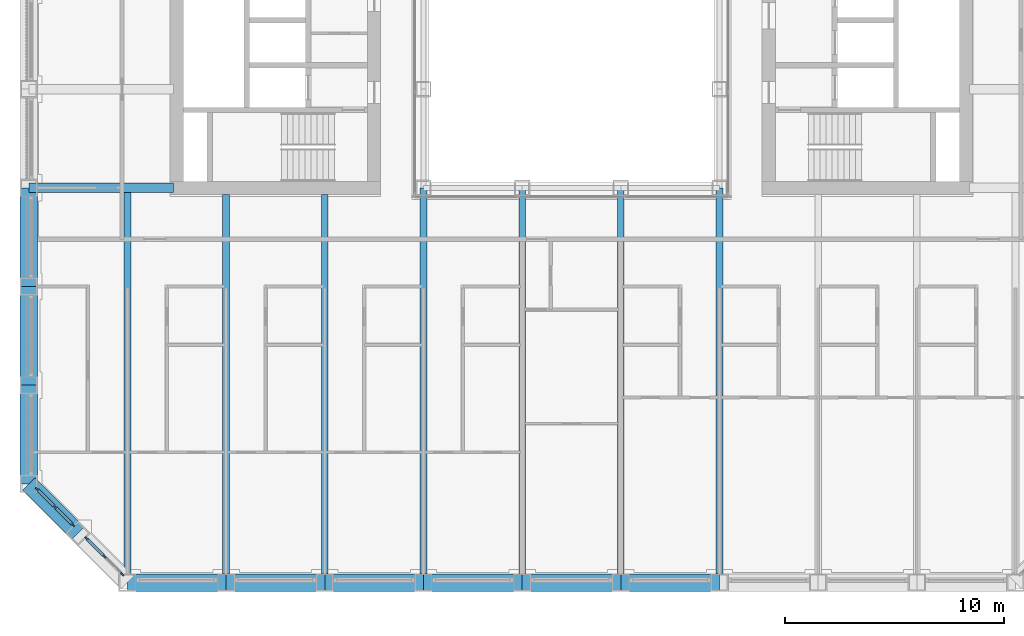
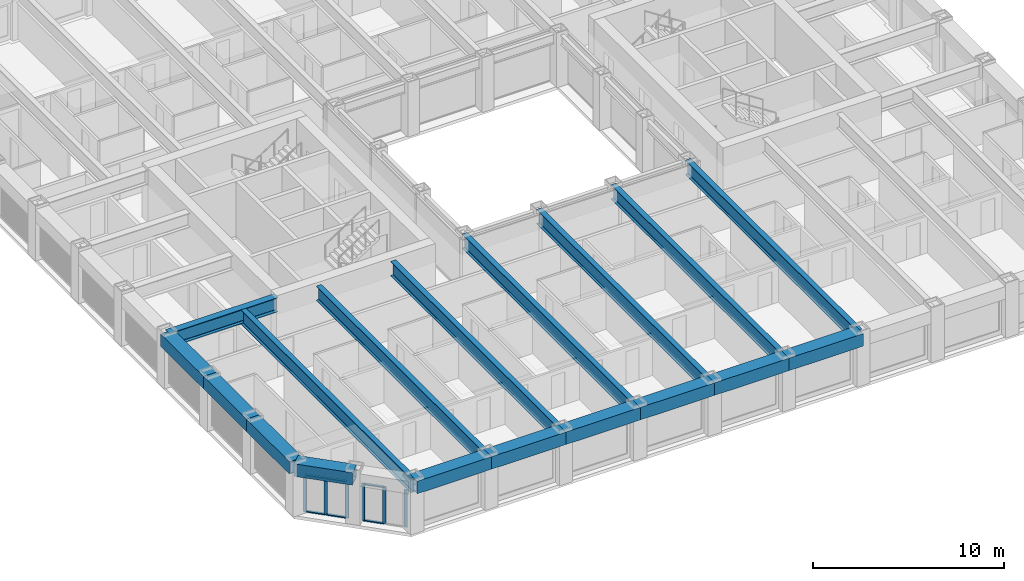
# One storey, part 2 of 21: 18 beams, 12 members, 2 elements without a shape of their own.
"""IFC4 building model written with IfcOpenShell, lengths in metres."""

from ifc_helpers import new_model, si_unit, direction, frame, origin, origin_2d, place, context, subcontext, project, spatial, rectangle, hollow_rectangle, i_section, extrude, material, material_profile, profile_set, type_object, element, aggregate, save


model = new_model("IFC4")

# Units and contexts
model_context = context("Model", 3, precision=1e-05, world=origin(), true_north=direction((0.0, 1.0)))
body_context = subcontext(model_context, "Body", "Model", "MODEL_VIEW")
ifc_project = project(units=[si_unit("LENGTHUNIT", "METRE"), si_unit("AREAUNIT", "SQUARE_METRE"), si_unit("VOLUMEUNIT", "CUBIC_METRE"), si_unit("PLANEANGLEUNIT", "RADIAN"), si_unit("MASSUNIT", "GRAM", prefix="KILO")], contexts=[model_context])

# Site, building, storey
site_placement = place(None, origin())
site = spatial("IfcSite", under=ifc_project, at=site_placement, CompositionType="ELEMENT")
building_placement = place(site_placement, origin())
building = spatial("IfcBuilding", under=site, at=building_placement, Name="Msasa Ring Tower", CompositionType="ELEMENT")
storey_placement = place(building_placement, frame((0.0, 0.0, 100.0)))
storey = spatial("IfcBuildingStorey", under=building, at=storey_placement, Name="L26", CompositionType="ELEMENT", Elevation=100.0)

# Curtain wall, members
ifc_material_1 = material(Name="Aluminium curtain wall with clear glass", Category="aluminium")
curtain_wall_type = type_object("IfcCurtainWallType", Name="CW-C CHAMFER CORNER CURTAIN WALL", PredefinedType="NOTDEFINED", material=ifc_material_1)
curtain_wall_1_placement = place(storey_placement, origin())
curtain_wall_1 = element("IfcCurtainWall", 1, at=curtain_wall_1_placement, inside=storey, type_object=curtain_wall_type, Name="Chamfer corner curtain wall SW L26", PredefinedType="NOTDEFINED")
ifc_material_2 = material(Name="Aluminium mullion", Category="aluminium")
ifc_material_profile_1 = material_profile(ifc_material_2, rectangle(XDim=0.06494140625, YDim=0.179931640625, at=origin_2d()), Name="AL 65x180")
ifc_profile_set_1 = profile_set([ifc_material_profile_1], Name="Aluminium mullion")
member_type_1 = type_object("IfcMemberType", Name="CW-C MULLION 65x180", PredefinedType="MULLION", material=ifc_profile_set_1)
member_1_placement = place(storey_placement, frame((-24.369873046875, -20.48876953125, 0.0), z_axis=(0.0, 0.0, 1.0), x_axis=(0.707106781187, 0.707106781187, 0.0)))
member_1 = element("IfcMember", 2, at=member_1_placement, type_object=member_type_1, Name="CW-C mullion 1", PredefinedType="MULLION", context=body_context, shape_type="SweptSolid", body=[
    extrude(rectangle(XDim=0.06494140625, YDim=0.179931640625, at=origin_2d()), origin(), (0.0, 0.0, 1.0), 2.37890625),
])
member_2_placement = place(storey_placement, frame((-23.55419921875, -21.30419921875, 0.0), z_axis=(0.0, 0.0, 1.0), x_axis=(0.707106781187, 0.707106781187, 0.0)))
member_2 = element("IfcMember", 3, at=member_2_placement, type_object=member_type_1, Name="CW-C mullion 2", PredefinedType="MULLION", context=body_context, shape_type="SweptSolid", body=[
    extrude(rectangle(XDim=0.06494140625, YDim=0.179931640625, at=origin_2d()), origin(), (0.0, 0.0, 1.0), 2.37890625),
])
member_3_placement = place(storey_placement, frame((-22.73876953125, -22.119873046875, 0.0), z_axis=(0.0, 0.0, 1.0), x_axis=(0.707106781187, 0.707106781187, 0.0)))
member_3 = element("IfcMember", 4, at=member_3_placement, type_object=member_type_1, Name="CW-C mullion 3", PredefinedType="MULLION", context=body_context, shape_type="SweptSolid", body=[
    extrude(rectangle(XDim=0.06494140625, YDim=0.179931640625, at=origin_2d()), origin(), (0.0, 0.0, 1.0), 2.37890625),
])

curtain_wall_2_placement = place(storey_placement, origin())
curtain_wall_2 = element("IfcCurtainWall", 5, at=curtain_wall_2_placement, inside=storey, type_object=curtain_wall_type, Name="Chamfer corner curtain wall SW L26", PredefinedType="NOTDEFINED")
member_4_placement = place(storey_placement, frame((-22.119873046875, -22.73876953125, 0.0), z_axis=(0.0, 0.0, 1.0), x_axis=(0.707106781187, 0.707106781187, 0.0)))
member_4 = element("IfcMember", 6, at=member_4_placement, type_object=member_type_1, Name="CW-C mullion 1", PredefinedType="MULLION", context=body_context, shape_type="SweptSolid", body=[
    extrude(rectangle(XDim=0.06494140625, YDim=0.179931640625, at=origin_2d()), origin(), (0.0, 0.0, 1.0), 2.37890625),
])
member_5_placement = place(storey_placement, frame((-21.30419921875, -23.55419921875, 0.0), z_axis=(0.0, 0.0, 1.0), x_axis=(0.707106781187, 0.707106781187, 0.0)))
member_5 = element("IfcMember", 7, at=member_5_placement, type_object=member_type_1, Name="CW-C mullion 2", PredefinedType="MULLION", context=body_context, shape_type="SweptSolid", body=[
    extrude(rectangle(XDim=0.06494140625, YDim=0.179931640625, at=origin_2d()), origin(), (0.0, 0.0, 1.0), 2.37890625),
])
member_6_placement = place(storey_placement, frame((-20.48876953125, -24.369873046875, 0.0), z_axis=(0.0, 0.0, 1.0), x_axis=(0.707106781187, 0.707106781187, 0.0)))
member_6 = element("IfcMember", 8, at=member_6_placement, type_object=member_type_1, Name="CW-C mullion 3", PredefinedType="MULLION", context=body_context, shape_type="SweptSolid", body=[
    extrude(rectangle(XDim=0.06494140625, YDim=0.179931640625, at=origin_2d()), origin(), (0.0, 0.0, 1.0), 2.37890625),
])

# Member
ifc_material_3 = material(Name="Aluminium transom", Category="aluminium")
ifc_material_profile_2 = material_profile(ifc_material_3, rectangle(XDim=0.139892578125, YDim=0.06494140625, at=origin_2d()), Name="AL 65x140")
ifc_profile_set_2 = profile_set([ifc_material_profile_2], Name="Aluminium transom")
member_type_2 = type_object("IfcMemberType", Name="CW-C TRANSOM 65x140", PredefinedType="USERDEFINED", material=ifc_profile_set_2)
member_7_placement = place(storey_placement, frame((-24.346923828125, -20.51171875, 0.032470703125), z_axis=(0.707106781187, -0.707106781187, 0.0), x_axis=(0.707106781187, 0.707106781187, 0.0)))
member_7 = element("IfcMember", 9, at=member_7_placement, type_object=member_type_2, Name="CW-C transom 1.1", ObjectType="TRANSOM", PredefinedType="USERDEFINED", context=body_context, shape_type="SweptSolid", body=[
    extrude(rectangle(XDim=0.139892578125, YDim=0.06494140625, at=origin_2d()), origin(), (0.0, 0.0, 1.0), 1.08837890625),
])

member_8_placement = place(storey_placement, frame((-24.346923828125, -20.51171875, 2.346435546875), z_axis=(0.707106781187, -0.707106781187, 0.0), x_axis=(0.707106781187, 0.707106781187, 0.0)))
member_8 = element("IfcMember", 10, at=member_8_placement, type_object=member_type_2, Name="CW-C transom 1.2", ObjectType="TRANSOM", PredefinedType="USERDEFINED", context=body_context, shape_type="SweptSolid", body=[
    extrude(rectangle(XDim=0.139892578125, YDim=0.06494140625, at=origin_2d()), origin(), (0.0, 0.0, 1.0), 1.08837890625),
])

member_9_placement = place(storey_placement, frame((-23.53125, -21.327392578125, 0.032470703125), z_axis=(0.707106781187, -0.707106781187, 0.0), x_axis=(0.707106781187, 0.707106781187, 0.0)))
member_9 = element("IfcMember", 11, at=member_9_placement, type_object=member_type_2, Name="CW-C transom 2.1", ObjectType="TRANSOM", PredefinedType="USERDEFINED", context=body_context, shape_type="SweptSolid", body=[
    extrude(rectangle(XDim=0.139892578125, YDim=0.06494140625, at=origin_2d()), origin(), (0.0, 0.0, 1.0), 1.08837890625),
])

member_10_placement = place(storey_placement, frame((-23.53125, -21.327392578125, 2.346435546875), z_axis=(0.707106781187, -0.707106781187, 0.0), x_axis=(0.707106781187, 0.707106781187, 0.0)))
member_10 = element("IfcMember", 12, at=member_10_placement, type_object=member_type_2, Name="CW-C transom 2.2", ObjectType="TRANSOM", PredefinedType="USERDEFINED", context=body_context, shape_type="SweptSolid", body=[
    extrude(rectangle(XDim=0.139892578125, YDim=0.06494140625, at=origin_2d()), origin(), (0.0, 0.0, 1.0), 1.08837890625),
])

aggregate(curtain_wall_1, [member_1, member_2, member_3, member_7, member_8, member_9, member_10])

member_11_placement = place(storey_placement, frame((-22.096923828125, -22.76171875, 0.032470703125), z_axis=(0.707106781187, -0.707106781187, 0.0), x_axis=(0.707106781187, 0.707106781187, 0.0)))
member_11 = element("IfcMember", 13, at=member_11_placement, type_object=member_type_2, Name="CW-C transom 1.1", ObjectType="TRANSOM", PredefinedType="USERDEFINED", context=body_context, shape_type="SweptSolid", body=[
    extrude(rectangle(XDim=0.139892578125, YDim=0.06494140625, at=origin_2d()), origin(), (0.0, 0.0, 1.0), 1.08837890625),
])

member_12_placement = place(storey_placement, frame((-22.096923828125, -22.76171875, 2.346435546875), z_axis=(0.707106781187, -0.707106781187, 0.0), x_axis=(0.707106781187, 0.707106781187, 0.0)))
member_12 = element("IfcMember", 14, at=member_12_placement, type_object=member_type_2, Name="CW-C transom 1.2", ObjectType="TRANSOM", PredefinedType="USERDEFINED", context=body_context, shape_type="SweptSolid", body=[
    extrude(rectangle(XDim=0.139892578125, YDim=0.06494140625, at=origin_2d()), origin(), (0.0, 0.0, 1.0), 1.08837890625),
])

aggregate(curtain_wall_2, [member_4, member_5, member_6, member_11, member_12])

# Beams
ifc_material_4 = material(Name="Steel S355", Category="steel")
ifc_material_profile_3 = material_profile(ifc_material_4, i_section(OverallWidth=0.3076171875, OverallDepth=0.926513671875, WebThickness=0.01953125, FlangeThickness=0.031982421875, FilletRadius=0.01904296875, at=origin_2d()), Name="UB 914x305x289")
ifc_profile_set_3 = profile_set([ifc_material_profile_3], Name="Steel S355")
beam_type_1 = type_object("IfcBeamType", Name="FB3 UB 914x305x289", PredefinedType="BEAM", material=ifc_profile_set_3)
beam_1_placement = place(storey_placement, frame((-20.25, -24.75, 2.836669921875), z_axis=(0.0, 1.0, 0.0), x_axis=(-1.0, 0.0, 0.0)))
element("IfcBeam", 15, at=beam_1_placement, inside=storey, type_object=beam_type_1, Name="Floor beam S-20.25 under L27", PredefinedType="BEAM", context=body_context, shape_type="SweptSolid", body=[
    extrude(i_section(OverallWidth=0.3076171875, OverallDepth=0.926513671875, WebThickness=0.01953125, FlangeThickness=0.031982421875, FilletRadius=0.01904296875, at=origin_2d()), origin(), (0.0, 0.0, 1.0), 17.789794921875),
])
for number, where, z_axis, x_axis, name in (
    (16, (-15.75, -24.75, 2.836669921875), (0.0, 1.0, 0.0), (-1.0, 0.0, 0.0), "Floor beam S-15.75 under L27"),
    (17, (-11.25, -24.75, 2.836669921875), (0.0, 1.0, 0.0), (-1.0, 0.0, 0.0), "Floor beam S-11.25 under L27"),
):
    element("IfcBeam", number, at=place(storey_placement, frame(where, z_axis=z_axis, x_axis=x_axis)), inside=storey, type_object=beam_type_1, Name=name, PredefinedType="BEAM", context=body_context, shape_type="SweptSolid", body=[
        extrude(i_section(OverallWidth=0.3076171875, OverallDepth=0.926513671875, WebThickness=0.01953125, FlangeThickness=0.031982421875, FilletRadius=0.01904296875, at=origin_2d()), origin(), (0.0, 0.0, 1.0), 17.699951171875),
    ])
for number, where, z_axis, x_axis, name in (
    (18, (-6.75, -24.75, 2.836669921875), (0.0, 1.0, 0.0), (-1.0, 0.0, 0.0), "Floor beam S-6.75 under L27"),
    (19, (-2.25, -24.75, 2.836669921875), (0.0, 1.0, 0.0), (-1.0, 0.0, 0.0), "Floor beam S-2.25 under L27"),
    (20, (2.25, -24.75, 2.836669921875), (0.0, 1.0, 0.0), (-1.0, 0.0, 0.0), "Floor beam S+2.25 under L27"),
    (21, (6.75, -24.75, 2.836669921875), (0.0, 1.0, 0.0), (-1.0, 0.0, 0.0), "Floor beam S+6.75 under L27"),
):
    element("IfcBeam", number, at=place(storey_placement, frame(where, z_axis=z_axis, x_axis=x_axis)), inside=storey, type_object=beam_type_1, Name=name, PredefinedType="BEAM", context=body_context, shape_type="SweptSolid", body=[
        extrude(i_section(OverallWidth=0.3076171875, OverallDepth=0.926513671875, WebThickness=0.01953125, FlangeThickness=0.031982421875, FilletRadius=0.01904296875, at=origin_2d()), origin(), (0.0, 0.0, 1.0), 18.0),
    ])
ifc_material_5 = material(Name="Steel S355", Category="steel")
ifc_material_profile_4 = material_profile(ifc_material_5, i_section(OverallWidth=0.42041015625, OverallDepth=0.9208984375, WebThickness=0.021484375, FlangeThickness=0.03662109375, FilletRadius=0.024169921875, at=origin_2d()), Name="UB 914x419x388")
ifc_profile_set_4 = profile_set([ifc_material_profile_4], Name="Steel S355")
beam_type_2 = type_object("IfcBeamType", Name="GB1 UB 914x419x388", PredefinedType="BEAM", material=ifc_profile_set_4)
beam_2_placement = place(storey_placement, frame((-18.14990234375, -6.75, 2.839599609375), z_axis=(-1.0, 0.0, 0.0), x_axis=(0.0, -1.0, 0.0)))
element("IfcBeam", 22, at=beam_2_placement, inside=storey, type_object=beam_type_2, Name="Girder W -6.75 under L27", PredefinedType="BEAM", context=body_context, shape_type="SweptSolid", body=[
    extrude(i_section(OverallWidth=0.42041015625, OverallDepth=0.9208984375, WebThickness=0.021484375, FlangeThickness=0.03662109375, FilletRadius=0.024169921875, at=origin_2d()), origin(), (0.0, 0.0, 1.0), 6.60009765625),
])
ifc_material_6 = material(Name="Steel S355", Category="steel")
ifc_material_profile_5 = material_profile(ifc_material_6, hollow_rectangle(XDim=0.800048828125, YDim=0.800048828125, WallThickness=0.06005859375, at=origin_2d()), Name="BOX 800x800x60")
ifc_profile_set_5 = profile_set([ifc_material_profile_5], Name="Steel S355")
beam_type_3 = type_object("IfcBeamType", Name="SB3 BOX 800x800x60", PredefinedType="SPANDREL", material=ifc_profile_set_5)
for number, where, z_axis, x_axis, name in (
    (23, (-24.75, -6.75, 2.89990234375), (0.0, -1.0, 0.0), (1.0, 0.0, 0.0), "Spandrel W-6.75 to W-11.25 under L27"),
    (24, (-24.75, -11.25, 2.89990234375), (0.0, -1.0, 0.0), (1.0, 0.0, 0.0), "Spandrel W-11.25 to W-15.75 under L27"),
    (25, (-24.75, -15.75, 2.89990234375), (0.0, -1.0, 0.0), (1.0, 0.0, 0.0), "Spandrel W-15.75 to W-20.25 under L27"),
):
    element("IfcBeam", number, at=place(storey_placement, frame(where, z_axis=z_axis, x_axis=x_axis)), inside=storey, type_object=beam_type_3, Name=name, PredefinedType="SPANDREL", context=body_context, shape_type="SweptSolid", body=[
        extrude(hollow_rectangle(XDim=0.800048828125, YDim=0.800048828125, WallThickness=0.06005859375, at=origin_2d()), origin(), (0.0, 0.0, 1.0), 4.5),
    ])
beam_3_placement = place(storey_placement, frame((-24.75, -20.25, 2.89990234375), z_axis=(0.707106781187, -0.707106781187, 0.0), x_axis=(0.707106781187, 0.707106781187, 0.0)))
element("IfcBeam", 26, at=beam_3_placement, inside=storey, type_object=beam_type_3, Name="Spandrel W-20.25 to SW under L27", PredefinedType="SPANDREL", context=body_context, shape_type="SweptSolid", body=[
    extrude(hollow_rectangle(XDim=0.800048828125, YDim=0.800048828125, WallThickness=0.06005859375, at=origin_2d()), origin(), (0.0, 0.0, 1.0), 3.181884765625),
])
for number, where, z_axis, x_axis, name in (
    (27, (-20.25, -24.75, 2.89990234375), (1.0, 0.0, 0.0), (0.0, 1.0, 0.0), "Spandrel S-20.25 to S-15.75 under L27"),
    (28, (-15.75, -24.75, 2.89990234375), (1.0, 0.0, 0.0), (0.0, 1.0, 0.0), "Spandrel S-15.75 to S-11.25 under L27"),
    (29, (-11.25, -24.75, 2.89990234375), (1.0, 0.0, 0.0), (0.0, 1.0, 0.0), "Spandrel S-11.25 to S-6.75 under L27"),
    (30, (-6.75, -24.75, 2.89990234375), (1.0, 0.0, 0.0), (0.0, 1.0, 0.0), "Spandrel S-6.75 to S-2.25 under L27"),
    (31, (-2.25, -24.75, 2.89990234375), (1.0, 0.0, 0.0), (0.0, 1.0, 0.0), "Spandrel S-2.25 to S+2.25 under L27"),
    (32, (2.25, -24.75, 2.89990234375), (1.0, 0.0, 0.0), (0.0, 1.0, 0.0), "Spandrel S+2.25 to S+6.75 under L27"),
):
    element("IfcBeam", number, at=place(storey_placement, frame(where, z_axis=z_axis, x_axis=x_axis)), inside=storey, type_object=beam_type_3, Name=name, PredefinedType="SPANDREL", context=body_context, shape_type="SweptSolid", body=[
        extrude(hollow_rectangle(XDim=0.800048828125, YDim=0.800048828125, WallThickness=0.06005859375, at=origin_2d()), origin(), (0.0, 0.0, 1.0), 4.5),
    ])

save(model, "model.ifc")
